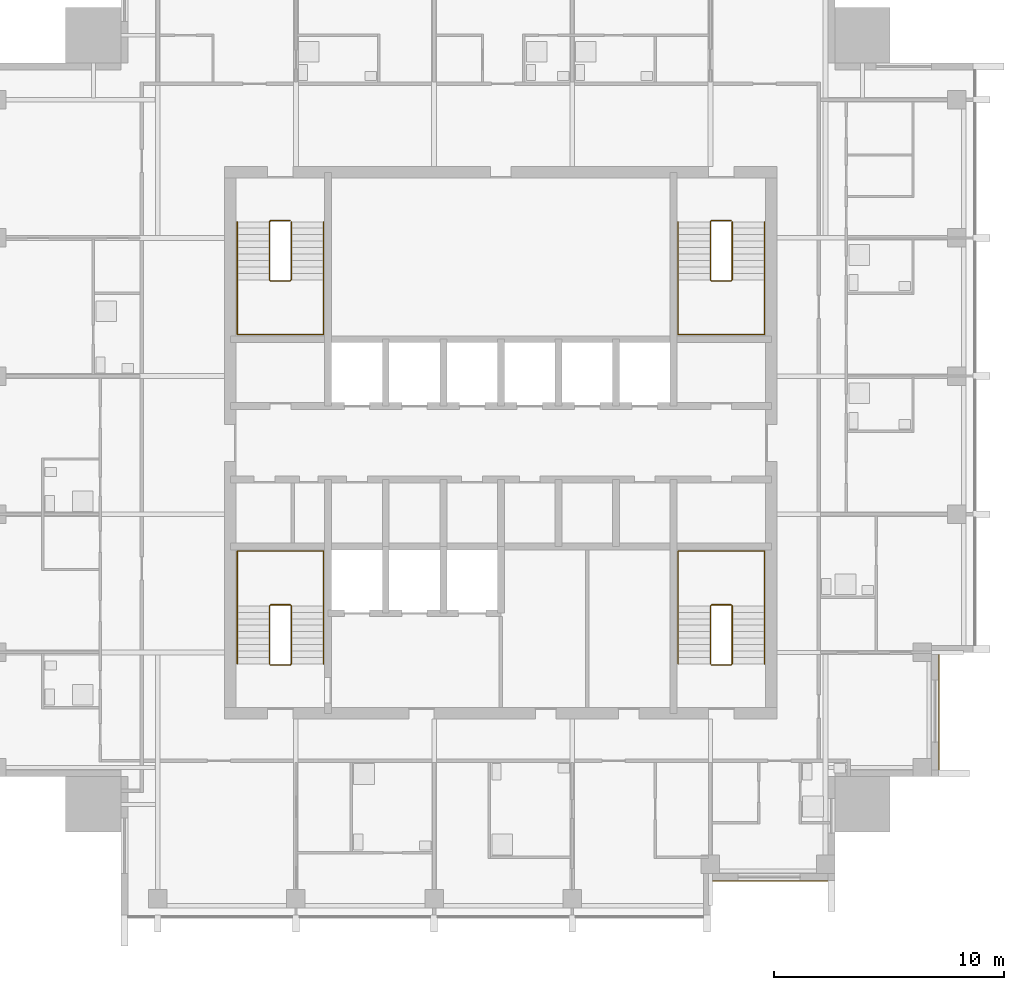
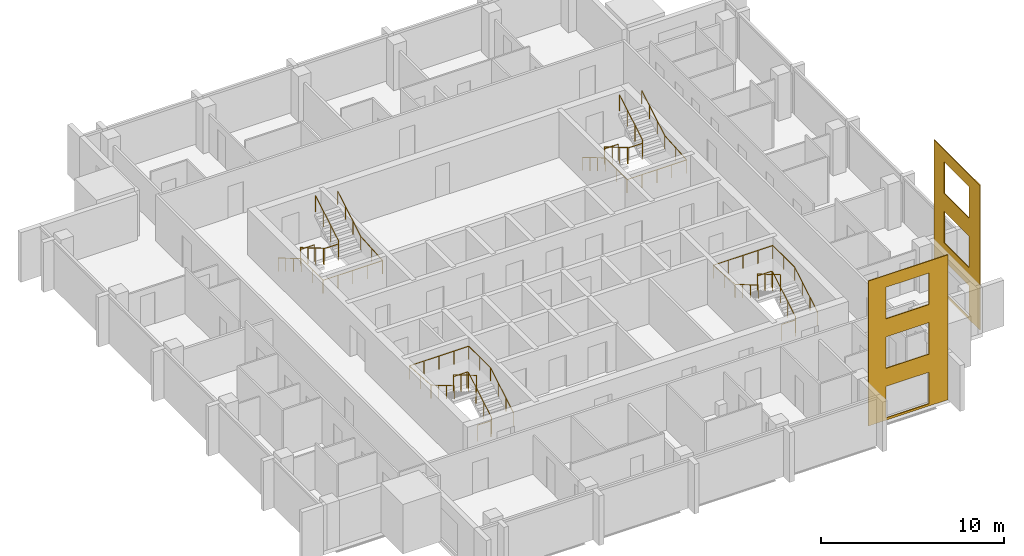
# One storey, part 8 of 9: 8 railings, 2 coverings.
"""IFC4 building model written with IfcOpenShell, lengths in metres."""

from ifc_helpers import new_model, si_unit, direction, frame, origin, origin_2d, place, context, subcontext, project, spatial, polyline, circle, outline, extrude, material, layer, layer_set, type_object, element, save


model = new_model("IFC4")

# Units and contexts
model_context = context("Model", 3, precision=1e-05, world=origin(), true_north=direction((0.0, 1.0)))
body_context = subcontext(model_context, "Body", "Model", "MODEL_VIEW")
ifc_project = project(units=[si_unit("LENGTHUNIT", "METRE"), si_unit("AREAUNIT", "SQUARE_METRE"), si_unit("VOLUMEUNIT", "CUBIC_METRE"), si_unit("PLANEANGLEUNIT", "RADIAN"), si_unit("MASSUNIT", "GRAM", prefix="KILO")], contexts=[model_context])

# Site, building, storey
site_placement = place(None, origin())
site = spatial("IfcSite", under=ifc_project, at=site_placement, CompositionType="ELEMENT")
building_placement = place(site_placement, origin())
building = spatial("IfcBuilding", under=site, at=building_placement, Name="Amberfall Residences", CompositionType="ELEMENT")
storey_placement = place(building_placement, frame((0.0, 0.0, 258.699951171875)))
storey = spatial("IfcBuildingStorey", under=building, at=storey_placement, Name="L69", CompositionType="ELEMENT", Elevation=258.699951171875)

# Coverings
ifc_material_1 = material(Name="Pale limestone cladding", Category="masonry")
ifc_layer = layer(ifc_material_1, 0.050048828125)
ifc_layer_set = layer_set([ifc_layer], Name="Limestone fascia 50")
covering_type = type_object("IfcCoveringType", Name="Limestone fascia 50", PredefinedType="CLADDING", material=ifc_layer_set)
covering_1_placement = place(storey_placement, frame((83.68994140625, 26.5, 9.650146484375), z_axis=(0.0, 1.0, 0.0), x_axis=(1.0, 0.0, 0.0)))
element("IfcCovering", 1, at=covering_1_placement, inside=storey, type_object=covering_type, Name="Pale limestone cladding L69-L71 S", PredefinedType="CLADDING", context=body_context, shape_type="SweptSolid", body=[
    extrude(outline(polyline([(0.0, 0.0), (5.010009765625, 0.0), (5.010009765625, 9.650146484375), (0.0, 9.650146484375), (0.0, 0.0)]), holes=[polyline([(1.110107421875, 7.400146484375), (3.81005859375, 7.400146484375), (3.81005859375, 9.5), (1.110107421875, 9.5), (1.110107421875, 7.400146484375)]), polyline([(1.110107421875, 4.10009765625), (3.81005859375, 4.10009765625), (3.81005859375, 6.2001953125), (1.110107421875, 6.2001953125), (1.110107421875, 4.10009765625)]), polyline([(1.110107421875, 0.800048828125), (3.81005859375, 0.800048828125), (3.81005859375, 2.900146484375), (1.110107421875, 2.900146484375), (1.110107421875, 0.800048828125)])]), origin(), (0.0, 0.0, -1.0), 0.050048828125),
])
covering_2_placement = place(storey_placement, frame((93.5, 31.300048828125, 9.650146484375), z_axis=(-1.0, 0.0, 0.0), x_axis=(0.0, 1.0, 0.0)))
element("IfcCovering", 2, at=covering_2_placement, inside=storey, type_object=covering_type, Name="Pale limestone cladding L69-L71 E", PredefinedType="CLADDING", context=body_context, shape_type="SweptSolid", body=[
    extrude(outline(polyline([(0.0, 0.0), (5.010009765625, 0.0), (5.010009765625, 9.650146484375), (0.0, 9.650146484375), (0.0, 0.0)]), holes=[polyline([(1.199951171875, 7.400146484375), (3.89990234375, 7.400146484375), (3.89990234375, 9.5), (1.199951171875, 9.5), (1.199951171875, 7.400146484375)]), polyline([(1.199951171875, 4.10009765625), (3.89990234375, 4.10009765625), (3.89990234375, 6.2001953125), (1.199951171875, 6.2001953125), (1.199951171875, 4.10009765625)]), polyline([(1.199951171875, 0.800048828125), (3.89990234375, 0.800048828125), (3.89990234375, 2.900146484375), (1.199951171875, 2.900146484375), (1.199951171875, 0.800048828125)])]), origin(), (0.0, 0.0, -1.0), 0.050048828125),
])

# Railings
ifc_material_2 = material(Name="Stainless steel 316", Category="steel")
railing_type_1 = type_object("IfcRailingType", Name="Stair guard 1100", PredefinedType="GUARDRAIL", material=ifc_material_2)
railing_1_placement = place(storey_placement, frame((64.5, 35.85009765625, 0.0)))
element("IfcRailing", 3, at=railing_1_placement, inside=storey, type_object=railing_type_1, Name="L69 stair 1 guard", PredefinedType="GUARDRAIL", context=body_context, shape_type="SweptSolid", body=[
    extrude(circle(Radius=0.02392578125, at=origin_2d()), frame((0.0, 0.0, 1.076171875), z_axis=(1.0, 0.0, 0.0), x_axis=(0.0, 1.0, 0.0)), (0.0, 0.0, 1.0), 0.85009765625),
    extrude(circle(Radius=0.02392578125, at=origin_2d()), frame((0.85009765625, 0.0, 1.076171875), z_axis=(0.27755538755, 0.27755538755, 0.919742362667), x_axis=(-0.707106781187, 0.707106781187, 0.0)), (0.0, 0.0, 1.0), 0.179443359375),
    extrude(circle(Radius=0.02392578125, at=origin_2d()), frame((0.89990234375, 0.0498046875, 1.2412109375), z_axis=(0.0, 0.86152411907, 0.507716645641), x_axis=(-1.0, 0.0, 0.0)), (0.0, 0.0, 1.0), 2.925048828125),
    extrude(circle(Radius=0.02392578125, at=origin_2d()), frame((0.89990234375, 2.56982421875, 2.72607421875), z_axis=(-0.705375805398, 0.708833529934, 0.0), x_axis=(-0.708833529934, -0.705375805398, 0.0)), (0.0, 0.0, 1.0), 0.070556640625),
    extrude(circle(Radius=0.02392578125, at=origin_2d()), frame((0.85009765625, 2.619873046875, 2.72607421875), z_axis=(-1.0, 0.0, 0.0), x_axis=(0.0, -1.0, 0.0)), (0.0, 0.0, 1.0), 0.85009765625),
    extrude(circle(Radius=0.02392578125, at=origin_2d()), frame((0.0, 2.619873046875, 2.72607421875), z_axis=(-0.279053652268, -0.279053652268, 0.918835196492), x_axis=(0.707106781187, -0.707106781187, 0.0)), (0.0, 0.0, 1.0), 0.179443359375),
    extrude(circle(Radius=0.02392578125, at=origin_2d()), frame((-0.050048828125, 2.56982421875, 2.89111328125), z_axis=(0.0, -0.86152411907, 0.507716645641), x_axis=(1.0, 0.0, 0.0)), (0.0, 0.0, 1.0), 2.925048828125),
    extrude(circle(Radius=0.02099609375, at=origin_2d()), origin(), (0.0, 0.0, 1.0), 1.052001953125),
    extrude(circle(Radius=0.02099609375, at=origin_2d()), frame((0.85009765625, 0.0, 0.0)), (0.0, 0.0, 1.0), 1.052001953125),
    extrude(circle(Radius=0.02099609375, at=origin_2d()), frame((0.89990234375, 0.0498046875, 0.1650390625)), (0.0, 0.0, 1.0), 1.052001953125),
    extrude(circle(Radius=0.02099609375, at=origin_2d()), frame((0.89990234375, 0.889892578125, 0.66015625)), (0.0, 0.0, 1.0), 1.052001953125),
    extrude(circle(Radius=0.02099609375, at=origin_2d()), frame((0.89990234375, 1.729736328125, 1.155029296875)), (0.0, 0.0, 1.0), 1.052001953125),
    extrude(circle(Radius=0.02099609375, at=origin_2d()), frame((0.89990234375, 2.56982421875, 1.650146484375)), (0.0, 0.0, 1.0), 1.052001953125),
    extrude(circle(Radius=0.02099609375, at=origin_2d()), frame((0.85009765625, 2.619873046875, 1.650146484375)), (0.0, 0.0, 1.0), 1.052001953125),
    extrude(circle(Radius=0.02099609375, at=origin_2d()), frame((0.0, 2.619873046875, 1.650146484375)), (0.0, 0.0, 1.0), 1.052001953125),
    extrude(circle(Radius=0.02099609375, at=origin_2d()), frame((-0.050048828125, 2.56982421875, 1.81494140625)), (0.0, 0.0, 1.0), 1.052001953125),
    extrude(circle(Radius=0.02099609375, at=origin_2d()), frame((-0.050048828125, 1.729736328125, 2.31005859375)), (0.0, 0.0, 1.0), 1.052001953125),
    extrude(circle(Radius=0.02099609375, at=origin_2d()), frame((-0.050048828125, 0.889892578125, 2.804931640625)), (0.0, 0.0, 1.0), 1.052001953125),
    extrude(circle(Radius=0.02099609375, at=origin_2d()), frame((-0.050048828125, 0.0498046875, 3.300048828125)), (0.0, 0.0, 1.0), 1.052001953125),
])
railing_2_placement = place(storey_placement, frame((83.64990234375, 35.85009765625, 0.0)))
element("IfcRailing", 4, at=railing_2_placement, inside=storey, type_object=railing_type_1, Name="L69 stair 2 guard", PredefinedType="GUARDRAIL", context=body_context, shape_type="SweptSolid", body=[
    extrude(circle(Radius=0.02392578125, at=origin_2d()), frame((0.0, 0.0, 1.076171875), z_axis=(1.0, 0.0, 0.0), x_axis=(0.0, 1.0, 0.0)), (0.0, 0.0, 1.0), 0.85009765625),
    extrude(circle(Radius=0.02392578125, at=origin_2d()), frame((0.85009765625, 0.0, 1.076171875), z_axis=(0.278810427259, 0.277450376394, 0.919394384522), x_axis=(-0.705375805398, 0.708833529934, 0.0)), (0.0, 0.0, 1.0), 0.179443359375),
    extrude(circle(Radius=0.02392578125, at=origin_2d()), frame((0.900146484375, 0.0498046875, 1.2412109375), z_axis=(0.0, 0.86152411907, 0.507716645641), x_axis=(-1.0, 0.0, 0.0)), (0.0, 0.0, 1.0), 2.925048828125),
    extrude(circle(Radius=0.02392578125, at=origin_2d()), frame((0.900146484375, 2.56982421875, 2.72607421875), z_axis=(-0.707106781187, 0.707106781187, 0.0), x_axis=(-0.707106781187, -0.707106781187, 0.0)), (0.0, 0.0, 1.0), 0.07080078125),
    extrude(circle(Radius=0.02392578125, at=origin_2d()), frame((0.85009765625, 2.619873046875, 2.72607421875), z_axis=(-1.0, 0.0, 0.0), x_axis=(0.0, -1.0, 0.0)), (0.0, 0.0, 1.0), 0.85009765625),
    extrude(circle(Radius=0.02392578125, at=origin_2d()), frame((0.0, 2.619873046875, 2.72607421875), z_axis=(-0.277797701265, -0.279159454702, 0.919183570361), x_axis=(0.708833529934, -0.705375805398, 0.0)), (0.0, 0.0, 1.0), 0.17919921875),
    extrude(circle(Radius=0.02392578125, at=origin_2d()), frame((-0.0498046875, 2.56982421875, 2.89111328125), z_axis=(0.0, -0.86152411907, 0.507716645641), x_axis=(1.0, 0.0, 0.0)), (0.0, 0.0, 1.0), 2.925048828125),
    extrude(circle(Radius=0.02099609375, at=origin_2d()), origin(), (0.0, 0.0, 1.0), 1.052001953125),
    extrude(circle(Radius=0.02099609375, at=origin_2d()), frame((0.85009765625, 0.0, 0.0)), (0.0, 0.0, 1.0), 1.052001953125),
    extrude(circle(Radius=0.02099609375, at=origin_2d()), frame((0.900146484375, 0.0498046875, 0.1650390625)), (0.0, 0.0, 1.0), 1.052001953125),
    extrude(circle(Radius=0.02099609375, at=origin_2d()), frame((0.900146484375, 0.889892578125, 0.66015625)), (0.0, 0.0, 1.0), 1.052001953125),
    extrude(circle(Radius=0.02099609375, at=origin_2d()), frame((0.900146484375, 1.729736328125, 1.155029296875)), (0.0, 0.0, 1.0), 1.052001953125),
    extrude(circle(Radius=0.02099609375, at=origin_2d()), frame((0.900146484375, 2.56982421875, 1.650146484375)), (0.0, 0.0, 1.0), 1.052001953125),
    extrude(circle(Radius=0.02099609375, at=origin_2d()), frame((0.85009765625, 2.619873046875, 1.650146484375)), (0.0, 0.0, 1.0), 1.052001953125),
    extrude(circle(Radius=0.02099609375, at=origin_2d()), frame((0.0, 2.619873046875, 1.650146484375)), (0.0, 0.0, 1.0), 1.052001953125),
    extrude(circle(Radius=0.02099609375, at=origin_2d()), frame((-0.0498046875, 2.56982421875, 1.81494140625)), (0.0, 0.0, 1.0), 1.052001953125),
    extrude(circle(Radius=0.02099609375, at=origin_2d()), frame((-0.0498046875, 1.729736328125, 2.31005859375)), (0.0, 0.0, 1.0), 1.052001953125),
    extrude(circle(Radius=0.02099609375, at=origin_2d()), frame((-0.0498046875, 0.889892578125, 2.804931640625)), (0.0, 0.0, 1.0), 1.052001953125),
    extrude(circle(Radius=0.02099609375, at=origin_2d()), frame((-0.0498046875, 0.0498046875, 3.300048828125)), (0.0, 0.0, 1.0), 1.052001953125),
])
railing_3_placement = place(storey_placement, frame((84.5, 55.14990234375, 0.0)))
element("IfcRailing", 5, at=railing_3_placement, inside=storey, type_object=railing_type_1, Name="L69 stair 3 guard", PredefinedType="GUARDRAIL", context=body_context, shape_type="SweptSolid", body=[
    extrude(circle(Radius=0.02392578125, at=origin_2d()), frame((0.0, 0.0, 1.076171875), z_axis=(-1.0, 0.0, 0.0), x_axis=(0.0, -1.0, 0.0)), (0.0, 0.0, 1.0), 0.85009765625),
    extrude(circle(Radius=0.02392578125, at=origin_2d()), frame((-0.85009765625, 0.0, 1.076171875), z_axis=(-0.27755538755, -0.27755538755, 0.919742362667), x_axis=(0.707106781187, -0.707106781187, 0.0)), (0.0, 0.0, 1.0), 0.179443359375),
    extrude(circle(Radius=0.02392578125, at=origin_2d()), frame((-0.89990234375, -0.0498046875, 1.2412109375), z_axis=(0.0, -0.86152411907, 0.507716645641), x_axis=(1.0, 0.0, 0.0)), (0.0, 0.0, 1.0), 2.925048828125),
    extrude(circle(Radius=0.02392578125, at=origin_2d()), frame((-0.89990234375, -2.56982421875, 2.72607421875), z_axis=(0.705375805398, -0.708833529934, 0.0), x_axis=(0.708833529934, 0.705375805398, 0.0)), (0.0, 0.0, 1.0), 0.070556640625),
    extrude(circle(Radius=0.02392578125, at=origin_2d()), frame((-0.85009765625, -2.619873046875, 2.72607421875), z_axis=(1.0, 0.0, 0.0), x_axis=(0.0, 1.0, 0.0)), (0.0, 0.0, 1.0), 0.85009765625),
    extrude(circle(Radius=0.02392578125, at=origin_2d()), frame((0.0, -2.619873046875, 2.72607421875), z_axis=(0.279053652268, 0.279053652268, 0.918835196492), x_axis=(-0.707106781187, 0.707106781187, 0.0)), (0.0, 0.0, 1.0), 0.179443359375),
    extrude(circle(Radius=0.02392578125, at=origin_2d()), frame((0.050048828125, -2.56982421875, 2.89111328125), z_axis=(0.0, 0.86152411907, 0.507716645641), x_axis=(-1.0, 0.0, 0.0)), (0.0, 0.0, 1.0), 2.925048828125),
    extrude(circle(Radius=0.02099609375, at=origin_2d()), origin(), (0.0, 0.0, 1.0), 1.052001953125),
    extrude(circle(Radius=0.02099609375, at=origin_2d()), frame((-0.85009765625, 0.0, 0.0)), (0.0, 0.0, 1.0), 1.052001953125),
    extrude(circle(Radius=0.02099609375, at=origin_2d()), frame((-0.89990234375, -0.0498046875, 0.1650390625)), (0.0, 0.0, 1.0), 1.052001953125),
    extrude(circle(Radius=0.02099609375, at=origin_2d()), frame((-0.89990234375, -0.889892578125, 0.66015625)), (0.0, 0.0, 1.0), 1.052001953125),
    extrude(circle(Radius=0.02099609375, at=origin_2d()), frame((-0.89990234375, -1.729736328125, 1.155029296875)), (0.0, 0.0, 1.0), 1.052001953125),
    extrude(circle(Radius=0.02099609375, at=origin_2d()), frame((-0.89990234375, -2.56982421875, 1.650146484375)), (0.0, 0.0, 1.0), 1.052001953125),
    extrude(circle(Radius=0.02099609375, at=origin_2d()), frame((-0.85009765625, -2.619873046875, 1.650146484375)), (0.0, 0.0, 1.0), 1.052001953125),
    extrude(circle(Radius=0.02099609375, at=origin_2d()), frame((0.0, -2.619873046875, 1.650146484375)), (0.0, 0.0, 1.0), 1.052001953125),
    extrude(circle(Radius=0.02099609375, at=origin_2d()), frame((0.050048828125, -2.56982421875, 1.81494140625)), (0.0, 0.0, 1.0), 1.052001953125),
    extrude(circle(Radius=0.02099609375, at=origin_2d()), frame((0.050048828125, -1.729736328125, 2.31005859375)), (0.0, 0.0, 1.0), 1.052001953125),
    extrude(circle(Radius=0.02099609375, at=origin_2d()), frame((0.050048828125, -0.889892578125, 2.804931640625)), (0.0, 0.0, 1.0), 1.052001953125),
    extrude(circle(Radius=0.02099609375, at=origin_2d()), frame((0.050048828125, -0.0498046875, 3.300048828125)), (0.0, 0.0, 1.0), 1.052001953125),
])
railing_4_placement = place(storey_placement, frame((65.35009765625, 55.14990234375, 0.0)))
element("IfcRailing", 6, at=railing_4_placement, inside=storey, type_object=railing_type_1, Name="L69 stair 4 guard", PredefinedType="GUARDRAIL", context=body_context, shape_type="SweptSolid", body=[
    extrude(circle(Radius=0.02392578125, at=origin_2d()), frame((0.0, 0.0, 1.076171875), z_axis=(-1.0, 0.0, 0.0), x_axis=(0.0, -1.0, 0.0)), (0.0, 0.0, 1.0), 0.85009765625),
    extrude(circle(Radius=0.02392578125, at=origin_2d()), frame((-0.85009765625, 0.0, 1.076171875), z_axis=(-0.278810427259, -0.277450376394, 0.919394384522), x_axis=(0.705375805398, -0.708833529934, 0.0)), (0.0, 0.0, 1.0), 0.179443359375),
    extrude(circle(Radius=0.02392578125, at=origin_2d()), frame((-0.900146484375, -0.0498046875, 1.2412109375), z_axis=(0.0, -0.86152411907, 0.507716645641), x_axis=(1.0, 0.0, 0.0)), (0.0, 0.0, 1.0), 2.925048828125),
    extrude(circle(Radius=0.02392578125, at=origin_2d()), frame((-0.900146484375, -2.56982421875, 2.72607421875), z_axis=(0.707106781187, -0.707106781187, 0.0), x_axis=(0.707106781187, 0.707106781187, 0.0)), (0.0, 0.0, 1.0), 0.07080078125),
    extrude(circle(Radius=0.02392578125, at=origin_2d()), frame((-0.85009765625, -2.619873046875, 2.72607421875), z_axis=(1.0, 0.0, 0.0), x_axis=(0.0, 1.0, 0.0)), (0.0, 0.0, 1.0), 0.85009765625),
    extrude(circle(Radius=0.02392578125, at=origin_2d()), frame((0.0, -2.619873046875, 2.72607421875), z_axis=(0.277797701265, 0.279159454702, 0.919183570361), x_axis=(-0.708833529934, 0.705375805398, 0.0)), (0.0, 0.0, 1.0), 0.17919921875),
    extrude(circle(Radius=0.02392578125, at=origin_2d()), frame((0.0498046875, -2.56982421875, 2.89111328125), z_axis=(0.0, 0.86152411907, 0.507716645641), x_axis=(-1.0, 0.0, 0.0)), (0.0, 0.0, 1.0), 2.925048828125),
    extrude(circle(Radius=0.02099609375, at=origin_2d()), origin(), (0.0, 0.0, 1.0), 1.052001953125),
    extrude(circle(Radius=0.02099609375, at=origin_2d()), frame((-0.85009765625, 0.0, 0.0)), (0.0, 0.0, 1.0), 1.052001953125),
    extrude(circle(Radius=0.02099609375, at=origin_2d()), frame((-0.900146484375, -0.0498046875, 0.1650390625)), (0.0, 0.0, 1.0), 1.052001953125),
    extrude(circle(Radius=0.02099609375, at=origin_2d()), frame((-0.900146484375, -0.889892578125, 0.66015625)), (0.0, 0.0, 1.0), 1.052001953125),
    extrude(circle(Radius=0.02099609375, at=origin_2d()), frame((-0.900146484375, -1.729736328125, 1.155029296875)), (0.0, 0.0, 1.0), 1.052001953125),
    extrude(circle(Radius=0.02099609375, at=origin_2d()), frame((-0.900146484375, -2.56982421875, 1.650146484375)), (0.0, 0.0, 1.0), 1.052001953125),
    extrude(circle(Radius=0.02099609375, at=origin_2d()), frame((-0.85009765625, -2.619873046875, 1.650146484375)), (0.0, 0.0, 1.0), 1.052001953125),
    extrude(circle(Radius=0.02099609375, at=origin_2d()), frame((0.0, -2.619873046875, 1.650146484375)), (0.0, 0.0, 1.0), 1.052001953125),
    extrude(circle(Radius=0.02099609375, at=origin_2d()), frame((0.0498046875, -2.56982421875, 1.81494140625)), (0.0, 0.0, 1.0), 1.052001953125),
    extrude(circle(Radius=0.02099609375, at=origin_2d()), frame((0.0498046875, -1.729736328125, 2.31005859375)), (0.0, 0.0, 1.0), 1.052001953125),
    extrude(circle(Radius=0.02099609375, at=origin_2d()), frame((0.0498046875, -0.889892578125, 2.804931640625)), (0.0, 0.0, 1.0), 1.052001953125),
    extrude(circle(Radius=0.02099609375, at=origin_2d()), frame((0.0498046875, -0.0498046875, 3.300048828125)), (0.0, 0.0, 1.0), 1.052001953125),
])
railing_type_2 = type_object("IfcRailingType", Name="Stair handrail 900", PredefinedType="HANDRAIL", material=ifc_material_2)
railing_5_placement = place(storey_placement, frame((66.800048828125, 35.89990234375, 0.1650390625)))
element("IfcRailing", 7, at=railing_5_placement, inside=storey, type_object=railing_type_2, Name="L69 stair 1 handrail", PredefinedType="HANDRAIL", context=body_context, shape_type="SweptSolid", body=[
    extrude(circle(Radius=0.02392578125, at=origin_2d()), frame((0.0, 0.0, 0.8759765625), z_axis=(0.0, 0.86152411907, 0.507716645641), x_axis=(-1.0, 0.0, 0.0)), (0.0, 0.0, 1.0), 2.925048828125),
    extrude(circle(Radius=0.02392578125, at=origin_2d()), frame((0.0, 2.52001953125, 2.36083984375), z_axis=(0.0, 1.0, 0.0), x_axis=(-1.0, 0.0, 0.0)), (0.0, 0.0, 1.0), 2.380126953125),
    extrude(circle(Radius=0.02392578125, at=origin_2d()), frame((0.0, 4.900146484375, 2.36083984375), z_axis=(-1.0, 0.0, 0.0), x_axis=(0.0, -1.0, 0.0)), (0.0, 0.0, 1.0), 3.75),
    extrude(circle(Radius=0.02392578125, at=origin_2d()), frame((-3.75, 4.900146484375, 2.36083984375), z_axis=(0.0, -0.997611642348, 0.069072505753), x_axis=(1.0, 0.0, 0.0)), (0.0, 0.0, 1.0), 2.3857421875),
    extrude(circle(Radius=0.02392578125, at=origin_2d()), frame((-3.75, 2.52001953125, 2.52587890625), z_axis=(0.0, -0.86152411907, 0.507716645641), x_axis=(1.0, 0.0, 0.0)), (0.0, 0.0, 1.0), 2.925048828125),
    extrude(circle(Radius=0.02099609375, at=origin_2d()), origin(), (0.0, 0.0, 1.0), 0.851806640625),
    extrude(circle(Radius=0.02099609375, at=origin_2d()), frame((0.0, 0.840087890625, 0.4951171875)), (0.0, 0.0, 1.0), 0.851806640625),
    extrude(circle(Radius=0.02099609375, at=origin_2d()), frame((0.0, 1.679931640625, 0.989990234375)), (0.0, 0.0, 1.0), 0.851806640625),
    extrude(circle(Radius=0.02099609375, at=origin_2d()), frame((0.0, 2.52001953125, 1.485107421875)), (0.0, 0.0, 1.0), 0.851806640625),
    extrude(circle(Radius=0.02099609375, at=origin_2d()), frame((0.0, 3.7099609375, 1.485107421875)), (0.0, 0.0, 1.0), 0.851806640625),
    extrude(circle(Radius=0.02099609375, at=origin_2d()), frame((0.0, 4.900146484375, 1.485107421875)), (0.0, 0.0, 1.0), 0.851806640625),
    extrude(circle(Radius=0.02099609375, at=origin_2d()), frame((-0.9375, 4.900146484375, 1.485107421875)), (0.0, 0.0, 1.0), 0.851806640625),
    extrude(circle(Radius=0.02099609375, at=origin_2d()), frame((-1.875, 4.900146484375, 1.485107421875)), (0.0, 0.0, 1.0), 0.851806640625),
    extrude(circle(Radius=0.02099609375, at=origin_2d()), frame((-2.8125, 4.900146484375, 1.485107421875)), (0.0, 0.0, 1.0), 0.851806640625),
    extrude(circle(Radius=0.02099609375, at=origin_2d()), frame((-3.75, 4.900146484375, 1.485107421875)), (0.0, 0.0, 1.0), 0.851806640625),
    extrude(circle(Radius=0.02099609375, at=origin_2d()), frame((-3.75, 3.7099609375, 1.5673828125)), (0.0, 0.0, 1.0), 0.851806640625),
    extrude(circle(Radius=0.02099609375, at=origin_2d()), frame((-3.75, 2.52001953125, 1.64990234375)), (0.0, 0.0, 1.0), 0.851806640625),
    extrude(circle(Radius=0.02099609375, at=origin_2d()), frame((-3.75, 1.679931640625, 2.14501953125)), (0.0, 0.0, 1.0), 0.851806640625),
    extrude(circle(Radius=0.02099609375, at=origin_2d()), frame((-3.75, 0.840087890625, 2.639892578125)), (0.0, 0.0, 1.0), 0.851806640625),
    extrude(circle(Radius=0.02099609375, at=origin_2d()), frame((-3.75, 0.0, 3.135009765625)), (0.0, 0.0, 1.0), 0.851806640625),
])
railing_6_placement = place(storey_placement, frame((85.949951171875, 35.89990234375, 0.1650390625)))
element("IfcRailing", 8, at=railing_6_placement, inside=storey, type_object=railing_type_2, Name="L69 stair 2 handrail", PredefinedType="HANDRAIL", context=body_context, shape_type="SweptSolid", body=[
    extrude(circle(Radius=0.02392578125, at=origin_2d()), frame((0.0, 0.0, 0.8759765625), z_axis=(0.0, 0.86152411907, 0.507716645641), x_axis=(-1.0, 0.0, 0.0)), (0.0, 0.0, 1.0), 2.925048828125),
    extrude(circle(Radius=0.02392578125, at=origin_2d()), frame((0.0, 2.52001953125, 2.36083984375), z_axis=(0.0, 1.0, 0.0), x_axis=(-1.0, 0.0, 0.0)), (0.0, 0.0, 1.0), 2.380126953125),
    extrude(circle(Radius=0.02392578125, at=origin_2d()), frame((0.0, 4.900146484375, 2.36083984375), z_axis=(-1.0, 0.0, 0.0), x_axis=(0.0, -1.0, 0.0)), (0.0, 0.0, 1.0), 3.75),
    extrude(circle(Radius=0.02392578125, at=origin_2d()), frame((-3.75, 4.900146484375, 2.36083984375), z_axis=(0.0, -0.997611642348, 0.069072505753), x_axis=(1.0, 0.0, 0.0)), (0.0, 0.0, 1.0), 2.3857421875),
    extrude(circle(Radius=0.02392578125, at=origin_2d()), frame((-3.75, 2.52001953125, 2.52587890625), z_axis=(0.0, -0.86152411907, 0.507716645641), x_axis=(1.0, 0.0, 0.0)), (0.0, 0.0, 1.0), 2.925048828125),
    extrude(circle(Radius=0.02099609375, at=origin_2d()), origin(), (0.0, 0.0, 1.0), 0.851806640625),
    extrude(circle(Radius=0.02099609375, at=origin_2d()), frame((0.0, 0.840087890625, 0.4951171875)), (0.0, 0.0, 1.0), 0.851806640625),
    extrude(circle(Radius=0.02099609375, at=origin_2d()), frame((0.0, 1.679931640625, 0.989990234375)), (0.0, 0.0, 1.0), 0.851806640625),
    extrude(circle(Radius=0.02099609375, at=origin_2d()), frame((0.0, 2.52001953125, 1.485107421875)), (0.0, 0.0, 1.0), 0.851806640625),
    extrude(circle(Radius=0.02099609375, at=origin_2d()), frame((0.0, 3.7099609375, 1.485107421875)), (0.0, 0.0, 1.0), 0.851806640625),
    extrude(circle(Radius=0.02099609375, at=origin_2d()), frame((0.0, 4.900146484375, 1.485107421875)), (0.0, 0.0, 1.0), 0.851806640625),
    extrude(circle(Radius=0.02099609375, at=origin_2d()), frame((-0.9375, 4.900146484375, 1.485107421875)), (0.0, 0.0, 1.0), 0.851806640625),
    extrude(circle(Radius=0.02099609375, at=origin_2d()), frame((-1.875, 4.900146484375, 1.485107421875)), (0.0, 0.0, 1.0), 0.851806640625),
    extrude(circle(Radius=0.02099609375, at=origin_2d()), frame((-2.8125, 4.900146484375, 1.485107421875)), (0.0, 0.0, 1.0), 0.851806640625),
    extrude(circle(Radius=0.02099609375, at=origin_2d()), frame((-3.75, 4.900146484375, 1.485107421875)), (0.0, 0.0, 1.0), 0.851806640625),
    extrude(circle(Radius=0.02099609375, at=origin_2d()), frame((-3.75, 3.7099609375, 1.5673828125)), (0.0, 0.0, 1.0), 0.851806640625),
    extrude(circle(Radius=0.02099609375, at=origin_2d()), frame((-3.75, 2.52001953125, 1.64990234375)), (0.0, 0.0, 1.0), 0.851806640625),
    extrude(circle(Radius=0.02099609375, at=origin_2d()), frame((-3.75, 1.679931640625, 2.14501953125)), (0.0, 0.0, 1.0), 0.851806640625),
    extrude(circle(Radius=0.02099609375, at=origin_2d()), frame((-3.75, 0.840087890625, 2.639892578125)), (0.0, 0.0, 1.0), 0.851806640625),
    extrude(circle(Radius=0.02099609375, at=origin_2d()), frame((-3.75, 0.0, 3.135009765625)), (0.0, 0.0, 1.0), 0.851806640625),
])
railing_7_placement = place(storey_placement, frame((82.199951171875, 55.10009765625, 0.1650390625)))
element("IfcRailing", 9, at=railing_7_placement, inside=storey, type_object=railing_type_2, Name="L69 stair 3 handrail", PredefinedType="HANDRAIL", context=body_context, shape_type="SweptSolid", body=[
    extrude(circle(Radius=0.02392578125, at=origin_2d()), frame((0.0, 0.0, 0.8759765625), z_axis=(0.0, -0.86152411907, 0.507716645641), x_axis=(1.0, 0.0, 0.0)), (0.0, 0.0, 1.0), 2.925048828125),
    extrude(circle(Radius=0.02392578125, at=origin_2d()), frame((0.0, -2.52001953125, 2.36083984375), z_axis=(0.0, -1.0, 0.0), x_axis=(1.0, 0.0, 0.0)), (0.0, 0.0, 1.0), 2.380126953125),
    extrude(circle(Radius=0.02392578125, at=origin_2d()), frame((0.0, -4.900146484375, 2.36083984375), z_axis=(1.0, 0.0, 0.0), x_axis=(0.0, 1.0, 0.0)), (0.0, 0.0, 1.0), 3.75),
    extrude(circle(Radius=0.02392578125, at=origin_2d()), frame((3.75, -4.900146484375, 2.36083984375), z_axis=(0.0, 0.997611642348, 0.069072505753), x_axis=(-1.0, 0.0, 0.0)), (0.0, 0.0, 1.0), 2.3857421875),
    extrude(circle(Radius=0.02392578125, at=origin_2d()), frame((3.75, -2.52001953125, 2.52587890625), z_axis=(0.0, 0.86152411907, 0.507716645641), x_axis=(-1.0, 0.0, 0.0)), (0.0, 0.0, 1.0), 2.925048828125),
    extrude(circle(Radius=0.02099609375, at=origin_2d()), origin(), (0.0, 0.0, 1.0), 0.851806640625),
    extrude(circle(Radius=0.02099609375, at=origin_2d()), frame((0.0, -0.840087890625, 0.4951171875)), (0.0, 0.0, 1.0), 0.851806640625),
    extrude(circle(Radius=0.02099609375, at=origin_2d()), frame((0.0, -1.679931640625, 0.989990234375)), (0.0, 0.0, 1.0), 0.851806640625),
    extrude(circle(Radius=0.02099609375, at=origin_2d()), frame((0.0, -2.52001953125, 1.485107421875)), (0.0, 0.0, 1.0), 0.851806640625),
    extrude(circle(Radius=0.02099609375, at=origin_2d()), frame((0.0, -3.7099609375, 1.485107421875)), (0.0, 0.0, 1.0), 0.851806640625),
    extrude(circle(Radius=0.02099609375, at=origin_2d()), frame((0.0, -4.900146484375, 1.485107421875)), (0.0, 0.0, 1.0), 0.851806640625),
    extrude(circle(Radius=0.02099609375, at=origin_2d()), frame((0.9375, -4.900146484375, 1.485107421875)), (0.0, 0.0, 1.0), 0.851806640625),
    extrude(circle(Radius=0.02099609375, at=origin_2d()), frame((1.875, -4.900146484375, 1.485107421875)), (0.0, 0.0, 1.0), 0.851806640625),
    extrude(circle(Radius=0.02099609375, at=origin_2d()), frame((2.8125, -4.900146484375, 1.485107421875)), (0.0, 0.0, 1.0), 0.851806640625),
    extrude(circle(Radius=0.02099609375, at=origin_2d()), frame((3.75, -4.900146484375, 1.485107421875)), (0.0, 0.0, 1.0), 0.851806640625),
    extrude(circle(Radius=0.02099609375, at=origin_2d()), frame((3.75, -3.7099609375, 1.5673828125)), (0.0, 0.0, 1.0), 0.851806640625),
    extrude(circle(Radius=0.02099609375, at=origin_2d()), frame((3.75, -2.52001953125, 1.64990234375)), (0.0, 0.0, 1.0), 0.851806640625),
    extrude(circle(Radius=0.02099609375, at=origin_2d()), frame((3.75, -1.679931640625, 2.14501953125)), (0.0, 0.0, 1.0), 0.851806640625),
    extrude(circle(Radius=0.02099609375, at=origin_2d()), frame((3.75, -0.840087890625, 2.639892578125)), (0.0, 0.0, 1.0), 0.851806640625),
    extrude(circle(Radius=0.02099609375, at=origin_2d()), frame((3.75, 0.0, 3.135009765625)), (0.0, 0.0, 1.0), 0.851806640625),
])
railing_8_placement = place(storey_placement, frame((63.050048828125, 55.10009765625, 0.1650390625)))
element("IfcRailing", 10, at=railing_8_placement, inside=storey, type_object=railing_type_2, Name="L69 stair 4 handrail", PredefinedType="HANDRAIL", context=body_context, shape_type="SweptSolid", body=[
    extrude(circle(Radius=0.02392578125, at=origin_2d()), frame((0.0, 0.0, 0.8759765625), z_axis=(0.0, -0.86152411907, 0.507716645641), x_axis=(1.0, 0.0, 0.0)), (0.0, 0.0, 1.0), 2.925048828125),
    extrude(circle(Radius=0.02392578125, at=origin_2d()), frame((0.0, -2.52001953125, 2.36083984375), z_axis=(0.0, -1.0, 0.0), x_axis=(1.0, 0.0, 0.0)), (0.0, 0.0, 1.0), 2.380126953125),
    extrude(circle(Radius=0.02392578125, at=origin_2d()), frame((0.0, -4.900146484375, 2.36083984375), z_axis=(1.0, 0.0, 0.0), x_axis=(0.0, 1.0, 0.0)), (0.0, 0.0, 1.0), 3.75),
    extrude(circle(Radius=0.02392578125, at=origin_2d()), frame((3.75, -4.900146484375, 2.36083984375), z_axis=(0.0, 0.997611642348, 0.069072505753), x_axis=(-1.0, 0.0, 0.0)), (0.0, 0.0, 1.0), 2.3857421875),
    extrude(circle(Radius=0.02392578125, at=origin_2d()), frame((3.75, -2.52001953125, 2.52587890625), z_axis=(0.0, 0.86152411907, 0.507716645641), x_axis=(-1.0, 0.0, 0.0)), (0.0, 0.0, 1.0), 2.925048828125),
    extrude(circle(Radius=0.02099609375, at=origin_2d()), origin(), (0.0, 0.0, 1.0), 0.851806640625),
    extrude(circle(Radius=0.02099609375, at=origin_2d()), frame((0.0, -0.840087890625, 0.4951171875)), (0.0, 0.0, 1.0), 0.851806640625),
    extrude(circle(Radius=0.02099609375, at=origin_2d()), frame((0.0, -1.679931640625, 0.989990234375)), (0.0, 0.0, 1.0), 0.851806640625),
    extrude(circle(Radius=0.02099609375, at=origin_2d()), frame((0.0, -2.52001953125, 1.485107421875)), (0.0, 0.0, 1.0), 0.851806640625),
    extrude(circle(Radius=0.02099609375, at=origin_2d()), frame((0.0, -3.7099609375, 1.485107421875)), (0.0, 0.0, 1.0), 0.851806640625),
    extrude(circle(Radius=0.02099609375, at=origin_2d()), frame((0.0, -4.900146484375, 1.485107421875)), (0.0, 0.0, 1.0), 0.851806640625),
    extrude(circle(Radius=0.02099609375, at=origin_2d()), frame((0.9375, -4.900146484375, 1.485107421875)), (0.0, 0.0, 1.0), 0.851806640625),
    extrude(circle(Radius=0.02099609375, at=origin_2d()), frame((1.875, -4.900146484375, 1.485107421875)), (0.0, 0.0, 1.0), 0.851806640625),
    extrude(circle(Radius=0.02099609375, at=origin_2d()), frame((2.8125, -4.900146484375, 1.485107421875)), (0.0, 0.0, 1.0), 0.851806640625),
    extrude(circle(Radius=0.02099609375, at=origin_2d()), frame((3.75, -4.900146484375, 1.485107421875)), (0.0, 0.0, 1.0), 0.851806640625),
    extrude(circle(Radius=0.02099609375, at=origin_2d()), frame((3.75, -3.7099609375, 1.5673828125)), (0.0, 0.0, 1.0), 0.851806640625),
    extrude(circle(Radius=0.02099609375, at=origin_2d()), frame((3.75, -2.52001953125, 1.64990234375)), (0.0, 0.0, 1.0), 0.851806640625),
    extrude(circle(Radius=0.02099609375, at=origin_2d()), frame((3.75, -1.679931640625, 2.14501953125)), (0.0, 0.0, 1.0), 0.851806640625),
    extrude(circle(Radius=0.02099609375, at=origin_2d()), frame((3.75, -0.840087890625, 2.639892578125)), (0.0, 0.0, 1.0), 0.851806640625),
    extrude(circle(Radius=0.02099609375, at=origin_2d()), frame((3.75, 0.0, 3.135009765625)), (0.0, 0.0, 1.0), 0.851806640625),
])

save(model, "model.ifc")
